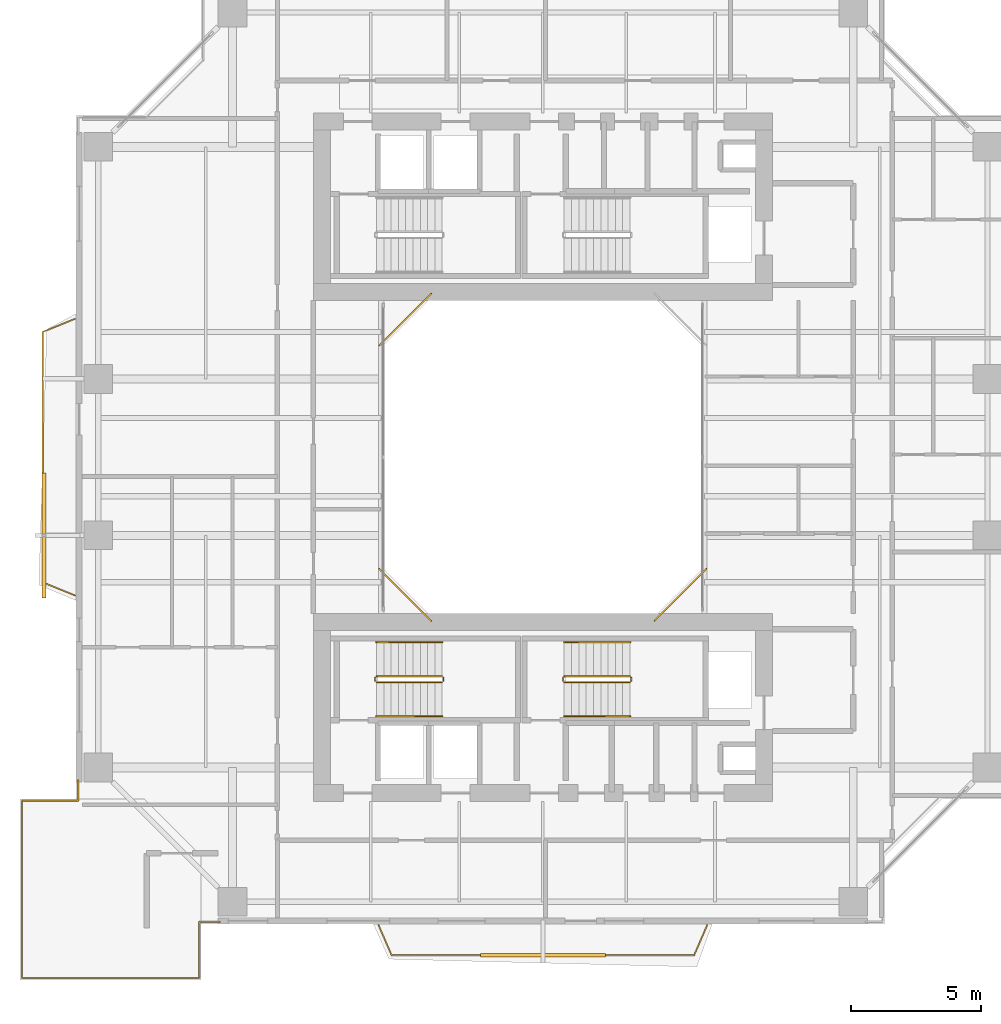
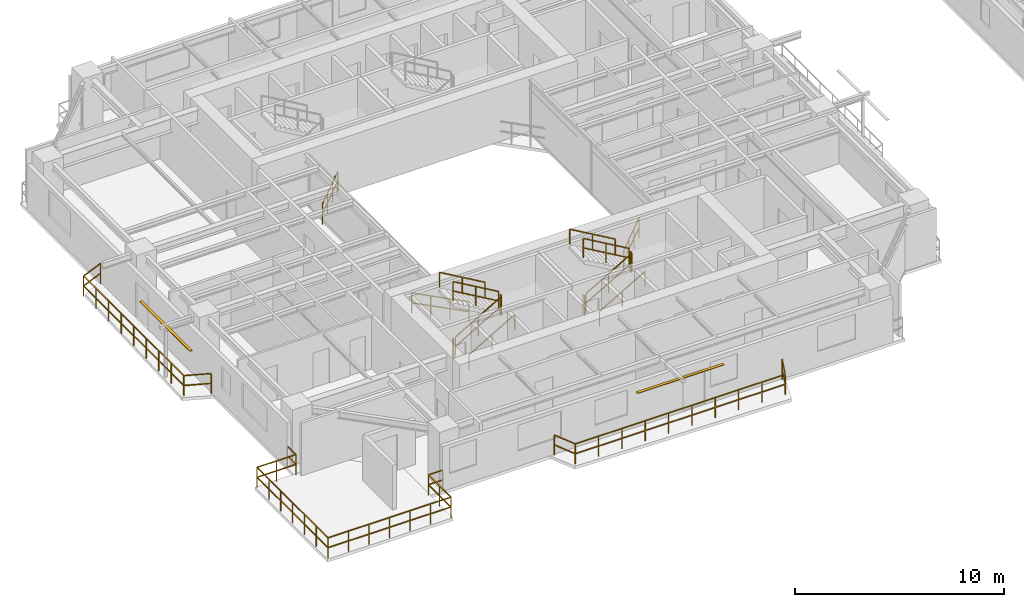
# One storey, part 19 of 23: 18 railings, 2 shading devices.
"""IFC4 building model written with IfcOpenShell, lengths in metres."""

import ifcopenshell
import ifcopenshell.guid

model = None  # the IFC model being written
_history = None  # IfcOwnerHistory: only IFC2X3 demands one
_inside = {}  # id of a spatial element -> (the spatial element, [elements in it])
_under = {}  # id of a project, library or spatial element -> (it, [spatial elements below it])
_declared = {}  # id of a project -> (the project, [libraries it declares])
_typed = {}  # id of a type object -> (the type object, [elements of that type])
_made_of = {}  # id of a material, layer set ... -> (it, [elements and type objects made of it])


def new_model(schema):
    """Start an empty IFC model of exactly this schema.

    Asked for "IFC4X3", IfcOpenShell would pick the latest addendum, in which some entities
    have other attributes; the version numbers below select the first issue.
    IFC2X3 requires an IfcOwnerHistory on every rooted entity: one is made here for all.
    """
    global model, _history
    if schema == "IFC4X3":
        model = ifcopenshell.file(schema_version=(4, 3, 0, 0))
    else:
        model = ifcopenshell.file(schema=schema)
    _inside.clear()
    _under.clear()
    _declared.clear()
    _typed.clear()
    _made_of.clear()
    _history = None
    if model.schema == "IFC2X3":
        org = make("IfcOrganization", Name="unknown")
        user = make(
            "IfcPersonAndOrganization",
            ThePerson=make("IfcPerson", FamilyName="unknown"),
            TheOrganization=org,
        )
        app = make(
            "IfcApplication",
            ApplicationDeveloper=org,
            Version="unknown",
            ApplicationFullName="unknown",
            ApplicationIdentifier="unknown",
        )
        _history = make(
            "IfcOwnerHistory",
            OwningUser=user,
            OwningApplication=app,
            ChangeAction="ADDED",
            CreationDate=0,
        )
    return model


def make(cls, **values):
    """One entity of the class cls with the attributes given. An attribute that is None is left unset."""
    return model.create_entity(
        cls, **{name: value for name, value in values.items() if value is not None}
    )


def rooted(cls, **values):
    """An entity with a GlobalId (a new one), such as an element, a storey or a relation."""
    return make(cls, GlobalId=ifcopenshell.guid.new(), OwnerHistory=_history, **values)


def si_unit(unit_type, name, prefix=None):
    """IfcSIUnit, for example si_unit("LENGTHUNIT", "METRE", prefix="MILLI")."""
    return make("IfcSIUnit", UnitType=unit_type, Prefix=prefix, Name=name)


def assignment(units):
    """IfcUnitAssignment: the units of a project."""
    return None if units is None else make("IfcUnitAssignment", Units=units)


def point(xyz):
    """IfcCartesianPoint."""
    return None if xyz is None else make("IfcCartesianPoint", Coordinates=xyz)


def direction(xyz):
    """IfcDirection."""
    return None if xyz is None else make("IfcDirection", DirectionRatios=xyz)


def frame(location, z_axis=None, x_axis=None):
    """IfcAxis2Placement3D, a coordinate frame: its origin and axes. An axis left out is left unset."""
    return make(
        "IfcAxis2Placement3D",
        Location=point(location),
        Axis=direction(z_axis),
        RefDirection=direction(x_axis),
    )


def frame_2d(location, x_axis=None):
    """IfcAxis2Placement2D, a coordinate frame in the plane: its origin and x axis."""
    return make(
        "IfcAxis2Placement2D", Location=point(location), RefDirection=direction(x_axis)
    )


def origin():
    """The frame at (0, 0, 0) with its axes left unset."""
    return frame((0.0, 0.0, 0.0))


def origin_2d():
    """The frame at (0, 0) in the plane with its x axis left unset."""
    return frame_2d((0.0, 0.0))


def place(relative_to, where):
    """IfcLocalPlacement: puts the frame where relative to a parent placement (None: the world)."""
    return make(
        "IfcLocalPlacement", PlacementRelTo=relative_to, RelativePlacement=where
    )


def context(
    kind, dimensions, precision=None, world=None, true_north=None, identifier=None
):
    """IfcGeometricRepresentationContext, for example the 3D "Model" context."""
    return make(
        "IfcGeometricRepresentationContext",
        ContextIdentifier=identifier,
        ContextType=kind,
        CoordinateSpaceDimension=dimensions,
        Precision=precision,
        WorldCoordinateSystem=world,
        TrueNorth=true_north,
    )


def subcontext(parent, identifier, kind, view, scale=None):
    """IfcGeometricRepresentationSubContext, for example "Body" below "Model"."""
    return make(
        "IfcGeometricRepresentationSubContext",
        ContextIdentifier=identifier,
        ContextType=kind,
        ParentContext=parent,
        TargetScale=scale,
        TargetView=view,
    )


def project(units=None, contexts=None):
    """IfcProject with its units and contexts."""
    return rooted(
        "IfcProject",
        Name="project",
        RepresentationContexts=contexts,
        UnitsInContext=assignment(units),
    )


def spatial(cls, under=None, at=None, **own):
    """A site, building, storey or space (cls), placed at a placement, below another one or the project."""
    s = rooted(cls, ObjectPlacement=at, **own)
    if under is not None:
        _under.setdefault(under.id(), (under, []))[1].append(s)
    return s


def profile(cls, at=None, kind="AREA", **sizes):
    """A parametric profile (cls). Its sizes go by their IFC names, for example OverallWidth=200.0."""
    return make(cls, ProfileType=kind, Position=at, **sizes)


def rectangle(**sizes):
    """IfcRectangleProfileDef."""
    return profile("IfcRectangleProfileDef", **sizes)


def extrude(swept, where, along, depth):
    """IfcExtrudedAreaSolid: the profile swept, set in the frame where, extruded along a direction by depth."""
    return make(
        "IfcExtrudedAreaSolid",
        SweptArea=swept,
        Position=where,
        ExtrudedDirection=direction(along),
        Depth=depth,
    )


def shape(context_of_items, identifier, shape_type, items):
    """IfcShapeRepresentation: the items that make up one representation, for example the "Body"."""
    return make(
        "IfcShapeRepresentation",
        ContextOfItems=context_of_items,
        RepresentationIdentifier=identifier,
        RepresentationType=shape_type,
        Items=items,
    )


def source(mapping_origin, context_of_items, identifier, shape_type, items):
    """IfcRepresentationMap: a shape defined once, which mapped items show again and again."""
    return make(
        "IfcRepresentationMap",
        MappingOrigin=mapping_origin,
        MappedRepresentation=shape(context_of_items, identifier, shape_type, items),
    )


def transform(
    local_origin,
    x_axis=None,
    y_axis=None,
    z_axis=None,
    scale=None,
    scale2=None,
    scale3=None,
    uniform=True,
):
    """IfcCartesianTransformationOperator3D, or its non-uniform kind. x_axis, y_axis, z_axis: its Axis1, 2, 3."""
    if uniform:
        return make(
            "IfcCartesianTransformationOperator3D",
            Axis1=direction(x_axis),
            Axis2=direction(y_axis),
            LocalOrigin=point(local_origin),
            Scale=scale,
            Axis3=direction(z_axis),
        )
    return make(
        "IfcCartesianTransformationOperator3DnonUniform",
        Axis1=direction(x_axis),
        Axis2=direction(y_axis),
        LocalOrigin=point(local_origin),
        Scale=scale,
        Axis3=direction(z_axis),
        Scale2=scale2,
        Scale3=scale3,
    )


def mapped(mapping_source, mapping_target):
    """IfcMappedItem: shows the shape of a source again, moved by a transform."""
    return make(
        "IfcMappedItem", MappingSource=mapping_source, MappingTarget=mapping_target
    )


def material(Name=None, Category=None):
    """IfcMaterial."""
    return make("IfcMaterial", Name=Name, Category=Category)


def material_profile(
    of_material, cross_section, Name=None, Category=None, Priority=None
):
    """IfcMaterialProfile: a cross section and its material."""
    return make(
        "IfcMaterialProfile",
        Name=Name,
        Material=of_material,
        Profile=cross_section,
        Priority=Priority,
        Category=Category,
    )


def profile_set(profiles, Name=None, composite=None):
    """IfcMaterialProfileSet."""
    return make(
        "IfcMaterialProfileSet",
        Name=Name,
        MaterialProfiles=profiles,
        CompositeProfile=composite,
    )


def made_of(thing, what):
    """Note that an element or type object is made of a material, layer set ...; save() writes the relation."""
    if what is not None:
        _made_of.setdefault(what.id(), (what, []))[1].append(thing)
    return thing


def type_object(cls, material=None, **own):
    """A type object (cls), such as IfcWallType, which elements share."""
    return made_of(rooted(cls, **own), material)


def element(
    cls,
    number,
    at=None,
    inside=None,
    cuts=None,
    type_object=None,
    material=None,
    context=None,
    identifier="Body",
    shape_type=None,
    held_by="IfcProductDefinitionShape",
    body=None,
    shapes=None,
    **own,
):
    """One element of the class cls, such as IfcWall. Its Tag is "e" and its number.

    at: its placement. inside: the storey or other place that contains it. cuts: it is an
    opening in that element (IfcRelVoidsElement). A single representation is given by context,
    identifier, shape_type and body (its items); several are given by shapes. held_by: the class
    of the entity that holds the representations. save() writes the other relations.
    """
    e = rooted(cls, Tag="e%d" % number, ObjectPlacement=at, **own)
    if body is not None:
        shapes = [shape(context, identifier, shape_type, body)]
    if shapes is not None:
        e.Representation = make(held_by, Representations=shapes)
    if inside is not None:
        _inside.setdefault(inside.id(), (inside, []))[1].append(e)
    if cuts is not None:
        rooted(
            "IfcRelVoidsElement", RelatingBuildingElement=cuts, RelatedOpeningElement=e
        )
    if type_object is not None:
        _typed.setdefault(type_object.id(), (type_object, []))[1].append(e)
    return made_of(e, material)


def aggregate(whole, parts):
    """IfcRelAggregates: a whole, such as a stair, and the parts it consists of."""
    return rooted("IfcRelAggregates", RelatingObject=whole, RelatedObjects=parts)


def save(model, path):
    """Write the relations noted so far, then the file.

    IfcRelAggregates (storeys below a building ...), IfcRelContainedInSpatialStructure (elements
    in a storey), IfcRelDefinesByType, IfcRelAssociatesMaterial and IfcRelDeclares: one each for
    every whole, place, type object, material and project.
    """
    for whole, parts in _under.values():
        aggregate(whole, parts)
    for where, things in _inside.values():
        rooted(
            "IfcRelContainedInSpatialStructure",
            RelatedElements=things,
            RelatingStructure=where,
        )
    for kind, things in _typed.values():
        rooted("IfcRelDefinesByType", RelatedObjects=things, RelatingType=kind)
    for what, things in _made_of.values():
        rooted("IfcRelAssociatesMaterial", RelatedObjects=things, RelatingMaterial=what)
    for by, libraries in _declared.values():
        rooted("IfcRelDeclares", RelatingContext=by, RelatedDefinitions=libraries)
    model.write(path)


model = new_model("IFC4")

# Units and contexts
model_context = context("Model", 3, precision=1e-05, world=origin(), true_north=direction((0.0, 1.0)))
body_context = subcontext(model_context, "Body", "Model", "MODEL_VIEW")
ifc_project = project(units=[si_unit("LENGTHUNIT", "METRE"), si_unit("AREAUNIT", "SQUARE_METRE"), si_unit("VOLUMEUNIT", "CUBIC_METRE"), si_unit("PLANEANGLEUNIT", "RADIAN"), si_unit("MASSUNIT", "GRAM", prefix="KILO"), si_unit("THERMODYNAMICTEMPERATUREUNIT", "KELVIN"), si_unit("POWERUNIT", "WATT")], contexts=[model_context])

# Site, building, storey
site_placement = place(None, origin())
site = spatial("IfcSite", under=ifc_project, at=site_placement, CompositionType="ELEMENT")
building_placement = place(site_placement, origin())
building = spatial("IfcBuilding", under=site, at=building_placement, Name="Qiaomeng Ring Towers", CompositionType="ELEMENT")
storey_placement = place(building_placement, frame((0.0, 0.0, 103.5)))
storey = spatial("IfcBuildingStorey", under=building, at=storey_placement, Name="L29", CompositionType="ELEMENT", Elevation=103.5)

# Railings
ifc_material_1 = material(Name="Low-E pale-green laminated safety glass", Category="glass")
railing_type_1 = type_object("IfcRailingType", Name="ARC-RL-BAL1", PredefinedType="BALUSTRADE", material=ifc_material_1)
railing_1_placement = place(storey_placement, frame((23.280029296875, 16.719970703125, 0.0)))
element("IfcRailing", 1, at=railing_1_placement, inside=storey, type_object=railing_type_1, Name="L29 Balustrade ARC-BAL-WELL1-L29-1", PredefinedType="BALUSTRADE", context=body_context, shape_type="SweptSolid", body=[
    extrude(rectangle(XDim=0.048095703125, YDim=0.048095703125, at=origin_2d()), frame((0.0, 0.0, 1.17578125), z_axis=(0.707106781187, 0.707106781187, 0.0), x_axis=(-0.707106781187, 0.707106781187, 0.0)), (0.0, 0.0, 1.0), 2.828369140625),
    extrude(rectangle(XDim=0.048095703125, YDim=0.048095703125, at=origin_2d()), frame((0.0, 0.0, 0.60009765625), z_axis=(0.707106781187, 0.707106781187, 0.0), x_axis=(-0.707106781187, 0.707106781187, 0.0)), (0.0, 0.0, 1.0), 2.828369140625),
    extrude(rectangle(XDim=0.0419921875, YDim=0.0419921875, at=origin_2d()), origin(), (0.0, 0.0, 1.0), 1.15185546875),
    extrude(rectangle(XDim=0.0419921875, YDim=0.0419921875, at=origin_2d()), frame((0.666748046875, 0.666748046875, 0.0)), (0.0, 0.0, 1.0), 1.15185546875),
    extrude(rectangle(XDim=0.0419921875, YDim=0.0419921875, at=origin_2d()), frame((1.333251953125, 1.333251953125, 0.0)), (0.0, 0.0, 1.0), 1.15185546875),
    extrude(rectangle(XDim=0.0419921875, YDim=0.0419921875, at=origin_2d()), frame((2.0, 2.0, 0.0)), (0.0, 0.0, 1.0), 1.15185546875),
])
railing_2_placement = place(storey_placement, frame((14.719970703125, 29.280029296875, 0.0)))
element("IfcRailing", 2, at=railing_2_placement, inside=storey, type_object=railing_type_1, Name="L29 Balustrade ARC-BAL-WELL1-L29-3", PredefinedType="BALUSTRADE", context=body_context, shape_type="SweptSolid", body=[
    extrude(rectangle(XDim=0.048095703125, YDim=0.048095703125, at=origin_2d()), frame((0.0, 0.0, 1.17578125), z_axis=(-0.707106781187, -0.707106781187, 0.0), x_axis=(0.707106781187, -0.707106781187, 0.0)), (0.0, 0.0, 1.0), 2.828369140625),
    extrude(rectangle(XDim=0.048095703125, YDim=0.048095703125, at=origin_2d()), frame((0.0, 0.0, 0.60009765625), z_axis=(-0.707106781187, -0.707106781187, 0.0), x_axis=(0.707106781187, -0.707106781187, 0.0)), (0.0, 0.0, 1.0), 2.828369140625),
    extrude(rectangle(XDim=0.0419921875, YDim=0.0419921875, at=origin_2d()), origin(), (0.0, 0.0, 1.0), 1.15185546875),
    extrude(rectangle(XDim=0.0419921875, YDim=0.0419921875, at=origin_2d()), frame((-0.666748046875, -0.666748046875, 0.0)), (0.0, 0.0, 1.0), 1.15185546875),
    extrude(rectangle(XDim=0.0419921875, YDim=0.0419921875, at=origin_2d()), frame((-1.333251953125, -1.333251953125, 0.0)), (0.0, 0.0, 1.0), 1.15185546875),
    extrude(rectangle(XDim=0.0419921875, YDim=0.0419921875, at=origin_2d()), frame((-2.0, -2.0, 0.0)), (0.0, 0.0, 1.0), 1.15185546875),
])
railing_3_placement = place(storey_placement, frame((12.719970703125, 18.719970703125, 0.0)))
element("IfcRailing", 3, at=railing_3_placement, inside=storey, type_object=railing_type_1, Name="L29 Balustrade ARC-BAL-WELL1-L29-4", PredefinedType="BALUSTRADE", context=body_context, shape_type="SweptSolid", body=[
    extrude(rectangle(XDim=0.048095703125, YDim=0.048095703125, at=origin_2d()), frame((0.0, 0.0, 1.17578125), z_axis=(0.707106781187, -0.707106781187, 0.0), x_axis=(0.707106781187, 0.707106781187, 0.0)), (0.0, 0.0, 1.0), 2.828369140625),
    extrude(rectangle(XDim=0.048095703125, YDim=0.048095703125, at=origin_2d()), frame((0.0, 0.0, 0.60009765625), z_axis=(0.707106781187, -0.707106781187, 0.0), x_axis=(0.707106781187, 0.707106781187, 0.0)), (0.0, 0.0, 1.0), 2.828369140625),
    extrude(rectangle(XDim=0.0419921875, YDim=0.0419921875, at=origin_2d()), origin(), (0.0, 0.0, 1.0), 1.15185546875),
    extrude(rectangle(XDim=0.0419921875, YDim=0.0419921875, at=origin_2d()), frame((0.666748046875, -0.666748046875, 0.0)), (0.0, 0.0, 1.0), 1.15185546875),
    extrude(rectangle(XDim=0.0419921875, YDim=0.0419921875, at=origin_2d()), frame((1.333251953125, -1.333251953125, 0.0)), (0.0, 0.0, 1.0), 1.15185546875),
    extrude(rectangle(XDim=0.0419921875, YDim=0.0419921875, at=origin_2d()), frame((2.0, -2.0, 0.0)), (0.0, 0.0, 1.0), 1.15185546875),
])
railing_4_placement = place(storey_placement, frame((1.179931640625, 10.6201171875, 0.0)))
element("IfcRailing", 4, at=railing_4_placement, inside=storey, type_object=railing_type_1, Name="L29 Balustrade ARC-BAL-L29-SPIRAL-SW", PredefinedType="BALUSTRADE", context=body_context, shape_type="SweptSolid", body=[
    extrude(rectangle(XDim=0.048095703125, YDim=0.048095703125, at=origin_2d()), frame((0.0, 0.0, 1.17578125), z_axis=(0.0, -1.0, 0.0), x_axis=(1.0, 0.0, 0.0)), (0.0, 0.0, 1.0), 0.800048828125),
    extrude(rectangle(XDim=0.048095703125, YDim=0.048095703125, at=origin_2d()), frame((0.0, 0.0, 0.60009765625), z_axis=(0.0, -1.0, 0.0), x_axis=(1.0, 0.0, 0.0)), (0.0, 0.0, 1.0), 0.800048828125),
    extrude(rectangle(XDim=0.048095703125, YDim=0.048095703125, at=origin_2d()), frame((0.0, -0.800048828125, 1.17578125), z_axis=(-1.0, 0.0, 0.0), x_axis=(0.0, -1.0, 0.0)), (0.0, 0.0, 1.0), 2.14990234375),
    extrude(rectangle(XDim=0.048095703125, YDim=0.048095703125, at=origin_2d()), frame((0.0, -0.800048828125, 0.60009765625), z_axis=(-1.0, 0.0, 0.0), x_axis=(0.0, -1.0, 0.0)), (0.0, 0.0, 1.0), 2.14990234375),
    extrude(rectangle(XDim=0.048095703125, YDim=0.048095703125, at=origin_2d()), frame((-2.14990234375, -0.800048828125, 1.17578125), z_axis=(0.0, -1.0, 0.0), x_axis=(1.0, 0.0, 0.0)), (0.0, 0.0, 1.0), 6.7900390625),
    extrude(rectangle(XDim=0.048095703125, YDim=0.048095703125, at=origin_2d()), frame((-2.14990234375, -0.800048828125, 0.60009765625), z_axis=(0.0, -1.0, 0.0), x_axis=(1.0, 0.0, 0.0)), (0.0, 0.0, 1.0), 6.7900390625),
    extrude(rectangle(XDim=0.048095703125, YDim=0.048095703125, at=origin_2d()), frame((-2.14990234375, -7.590087890625, 1.17578125), z_axis=(1.0, 0.0, 0.0), x_axis=(0.0, 1.0, 0.0)), (0.0, 0.0, 1.0), 6.7900390625),
    extrude(rectangle(XDim=0.048095703125, YDim=0.048095703125, at=origin_2d()), frame((-2.14990234375, -7.590087890625, 0.60009765625), z_axis=(1.0, 0.0, 0.0), x_axis=(0.0, 1.0, 0.0)), (0.0, 0.0, 1.0), 6.7900390625),
    extrude(rectangle(XDim=0.048095703125, YDim=0.048095703125, at=origin_2d()), frame((4.64013671875, -7.590087890625, 1.17578125), z_axis=(0.0, 1.0, 0.0), x_axis=(-1.0, 0.0, 0.0)), (0.0, 0.0, 1.0), 2.14990234375),
    extrude(rectangle(XDim=0.048095703125, YDim=0.048095703125, at=origin_2d()), frame((4.64013671875, -7.590087890625, 0.60009765625), z_axis=(0.0, 1.0, 0.0), x_axis=(-1.0, 0.0, 0.0)), (0.0, 0.0, 1.0), 2.14990234375),
    extrude(rectangle(XDim=0.048095703125, YDim=0.048095703125, at=origin_2d()), frame((4.64013671875, -5.440185546875, 1.17578125), z_axis=(1.0, 0.0, 0.0), x_axis=(0.0, 1.0, 0.0)), (0.0, 0.0, 1.0), 0.800048828125),
    extrude(rectangle(XDim=0.048095703125, YDim=0.048095703125, at=origin_2d()), frame((4.64013671875, -5.440185546875, 0.60009765625), z_axis=(1.0, 0.0, 0.0), x_axis=(0.0, 1.0, 0.0)), (0.0, 0.0, 1.0), 0.800048828125),
    extrude(rectangle(XDim=0.0419921875, YDim=0.0419921875, at=origin_2d()), origin(), (0.0, 0.0, 1.0), 1.15185546875),
    extrude(rectangle(XDim=0.0419921875, YDim=0.0419921875, at=origin_2d()), frame((0.0, -0.800048828125, 0.0)), (0.0, 0.0, 1.0), 1.15185546875),
    extrude(rectangle(XDim=0.0419921875, YDim=0.0419921875, at=origin_2d()), frame((-1.074951171875, -0.800048828125, 0.0)), (0.0, 0.0, 1.0), 1.15185546875),
    extrude(rectangle(XDim=0.0419921875, YDim=0.0419921875, at=origin_2d()), frame((-2.14990234375, -0.800048828125, 0.0)), (0.0, 0.0, 1.0), 1.15185546875),
    extrude(rectangle(XDim=0.0419921875, YDim=0.0419921875, at=origin_2d()), frame((-2.14990234375, -1.931640625, 0.0)), (0.0, 0.0, 1.0), 1.15185546875),
    extrude(rectangle(XDim=0.0419921875, YDim=0.0419921875, at=origin_2d()), frame((-2.14990234375, -3.0634765625, 0.0)), (0.0, 0.0, 1.0), 1.15185546875),
    extrude(rectangle(XDim=0.0419921875, YDim=0.0419921875, at=origin_2d()), frame((-2.14990234375, -4.195068359375, 0.0)), (0.0, 0.0, 1.0), 1.15185546875),
    extrude(rectangle(XDim=0.0419921875, YDim=0.0419921875, at=origin_2d()), frame((-2.14990234375, -5.32666015625, 0.0)), (0.0, 0.0, 1.0), 1.15185546875),
    extrude(rectangle(XDim=0.0419921875, YDim=0.0419921875, at=origin_2d()), frame((-2.14990234375, -6.45849609375, 0.0)), (0.0, 0.0, 1.0), 1.15185546875),
    extrude(rectangle(XDim=0.0419921875, YDim=0.0419921875, at=origin_2d()), frame((-2.14990234375, -7.590087890625, 0.0)), (0.0, 0.0, 1.0), 1.15185546875),
    extrude(rectangle(XDim=0.0419921875, YDim=0.0419921875, at=origin_2d()), frame((-1.018310546875, -7.590087890625, 0.0)), (0.0, 0.0, 1.0), 1.15185546875),
    extrude(rectangle(XDim=0.0419921875, YDim=0.0419921875, at=origin_2d()), frame((0.113525390625, -7.590087890625, 0.0)), (0.0, 0.0, 1.0), 1.15185546875),
    extrude(rectangle(XDim=0.0419921875, YDim=0.0419921875, at=origin_2d()), frame((1.2451171875, -7.590087890625, 0.0)), (0.0, 0.0, 1.0), 1.15185546875),
    extrude(rectangle(XDim=0.0419921875, YDim=0.0419921875, at=origin_2d()), frame((2.376708984375, -7.590087890625, 0.0)), (0.0, 0.0, 1.0), 1.15185546875),
    extrude(rectangle(XDim=0.0419921875, YDim=0.0419921875, at=origin_2d()), frame((3.508544921875, -7.590087890625, 0.0)), (0.0, 0.0, 1.0), 1.15185546875),
    extrude(rectangle(XDim=0.0419921875, YDim=0.0419921875, at=origin_2d()), frame((4.64013671875, -7.590087890625, 0.0)), (0.0, 0.0, 1.0), 1.15185546875),
    extrude(rectangle(XDim=0.0419921875, YDim=0.0419921875, at=origin_2d()), frame((4.64013671875, -6.51513671875, 0.0)), (0.0, 0.0, 1.0), 1.15185546875),
    extrude(rectangle(XDim=0.0419921875, YDim=0.0419921875, at=origin_2d()), frame((4.64013671875, -5.440185546875, 0.0)), (0.0, 0.0, 1.0), 1.15185546875),
    extrude(rectangle(XDim=0.0419921875, YDim=0.0419921875, at=origin_2d()), frame((5.440185546875, -5.440185546875, 0.0)), (0.0, 0.0, 1.0), 1.15185546875),
])
railing_5_placement = place(storey_placement, frame((12.699951171875, 5.050048828125, 0.0)))
element("IfcRailing", 5, at=railing_5_placement, inside=storey, type_object=railing_type_1, Name="L29 Balustrade ARC-BAL-L29-T1-S", PredefinedType="BALUSTRADE", context=body_context, shape_type="SweptSolid", body=[
    extrude(rectangle(XDim=0.048095703125, YDim=0.048095703125, at=origin_2d()), frame((0.0, 0.0, 1.17578125), z_axis=(0.39868340127, -0.917088624699, 0.0), x_axis=(0.917088624699, 0.39868340127, 0.0)), (0.0, 0.0, 1.0), 1.254150390625),
    extrude(rectangle(XDim=0.048095703125, YDim=0.048095703125, at=origin_2d()), frame((0.0, 0.0, 0.60009765625), z_axis=(0.39868340127, -0.917088624699, 0.0), x_axis=(0.917088624699, 0.39868340127, 0.0)), (0.0, 0.0, 1.0), 1.254150390625),
    extrude(rectangle(XDim=0.048095703125, YDim=0.048095703125, at=origin_2d()), frame((0.5, -1.150146484375, 1.17578125), z_axis=(1.0, 0.0, 0.0), x_axis=(0.0, 1.0, 0.0)), (0.0, 0.0, 1.0), 11.60009765625),
    extrude(rectangle(XDim=0.048095703125, YDim=0.048095703125, at=origin_2d()), frame((0.5, -1.150146484375, 0.60009765625), z_axis=(1.0, 0.0, 0.0), x_axis=(0.0, 1.0, 0.0)), (0.0, 0.0, 1.0), 11.60009765625),
    extrude(rectangle(XDim=0.048095703125, YDim=0.048095703125, at=origin_2d()), frame((12.10009765625, -1.150146484375, 1.17578125), z_axis=(0.39868340127, 0.917088624699, 0.0), x_axis=(-0.917088624699, 0.39868340127, 0.0)), (0.0, 0.0, 1.0), 1.254150390625),
    extrude(rectangle(XDim=0.048095703125, YDim=0.048095703125, at=origin_2d()), frame((12.10009765625, -1.150146484375, 0.60009765625), z_axis=(0.39868340127, 0.917088624699, 0.0), x_axis=(-0.917088624699, 0.39868340127, 0.0)), (0.0, 0.0, 1.0), 1.254150390625),
    extrude(rectangle(XDim=0.0419921875, YDim=0.0419921875, at=origin_2d()), origin(), (0.0, 0.0, 1.0), 1.15185546875),
    extrude(rectangle(XDim=0.0419921875, YDim=0.0419921875, at=origin_2d()), frame((0.5, -1.150146484375, 0.0)), (0.0, 0.0, 1.0), 1.15185546875),
    extrude(rectangle(XDim=0.0419921875, YDim=0.0419921875, at=origin_2d()), frame((1.788818359375, -1.150146484375, 0.0)), (0.0, 0.0, 1.0), 1.15185546875),
    extrude(rectangle(XDim=0.0419921875, YDim=0.0419921875, at=origin_2d()), frame((3.077880859375, -1.150146484375, 0.0)), (0.0, 0.0, 1.0), 1.15185546875),
    extrude(rectangle(XDim=0.0419921875, YDim=0.0419921875, at=origin_2d()), frame((4.36669921875, -1.150146484375, 0.0)), (0.0, 0.0, 1.0), 1.15185546875),
    extrude(rectangle(XDim=0.0419921875, YDim=0.0419921875, at=origin_2d()), frame((5.655517578125, -1.150146484375, 0.0)), (0.0, 0.0, 1.0), 1.15185546875),
    extrude(rectangle(XDim=0.0419921875, YDim=0.0419921875, at=origin_2d()), frame((6.944580078125, -1.150146484375, 0.0)), (0.0, 0.0, 1.0), 1.15185546875),
    extrude(rectangle(XDim=0.0419921875, YDim=0.0419921875, at=origin_2d()), frame((8.2333984375, -1.150146484375, 0.0)), (0.0, 0.0, 1.0), 1.15185546875),
    extrude(rectangle(XDim=0.0419921875, YDim=0.0419921875, at=origin_2d()), frame((9.522216796875, -1.150146484375, 0.0)), (0.0, 0.0, 1.0), 1.15185546875),
    extrude(rectangle(XDim=0.0419921875, YDim=0.0419921875, at=origin_2d()), frame((10.811279296875, -1.150146484375, 0.0)), (0.0, 0.0, 1.0), 1.15185546875),
    extrude(rectangle(XDim=0.0419921875, YDim=0.0419921875, at=origin_2d()), frame((12.10009765625, -1.150146484375, 0.0)), (0.0, 0.0, 1.0), 1.15185546875),
    extrude(rectangle(XDim=0.0419921875, YDim=0.0419921875, at=origin_2d()), frame((12.60009765625, 0.0, 0.0)), (0.0, 0.0, 1.0), 1.15185546875),
])
railing_6_placement = place(storey_placement, frame((1.050048828125, 17.699951171875, 0.0)))
element("IfcRailing", 6, at=railing_6_placement, inside=storey, type_object=railing_type_1, Name="L29 Balustrade ARC-BAL-L29-T1-W", PredefinedType="BALUSTRADE", context=body_context, shape_type="SweptSolid", body=[
    extrude(rectangle(XDim=0.048095703125, YDim=0.048095703125, at=origin_2d()), frame((0.0, 0.0, 1.17578125), z_axis=(-0.926382398109, 0.376584190418, 0.0), x_axis=(-0.376584190418, -0.926382398109, 0.0)), (0.0, 0.0, 1.0), 1.32763671875),
    extrude(rectangle(XDim=0.048095703125, YDim=0.048095703125, at=origin_2d()), frame((0.0, 0.0, 0.60009765625), z_axis=(-0.926382398109, 0.376584190418, 0.0), x_axis=(-0.376584190418, -0.926382398109, 0.0)), (0.0, 0.0, 1.0), 1.32763671875),
    extrude(rectangle(XDim=0.048095703125, YDim=0.048095703125, at=origin_2d()), frame((-1.22998046875, 0.5, 1.17578125), z_axis=(0.0, 1.0, 0.0), x_axis=(-1.0, 0.0, 0.0)), (0.0, 0.0, 1.0), 9.60009765625),
    extrude(rectangle(XDim=0.048095703125, YDim=0.048095703125, at=origin_2d()), frame((-1.22998046875, 0.5, 0.60009765625), z_axis=(0.0, 1.0, 0.0), x_axis=(-1.0, 0.0, 0.0)), (0.0, 0.0, 1.0), 9.60009765625),
    extrude(rectangle(XDim=0.048095703125, YDim=0.048095703125, at=origin_2d()), frame((-1.22998046875, 10.10009765625, 1.17578125), z_axis=(0.926382398109, 0.376584190418, 0.0), x_axis=(-0.376584190418, 0.926382398109, 0.0)), (0.0, 0.0, 1.0), 1.32763671875),
    extrude(rectangle(XDim=0.048095703125, YDim=0.048095703125, at=origin_2d()), frame((-1.22998046875, 10.10009765625, 0.60009765625), z_axis=(0.926382398109, 0.376584190418, 0.0), x_axis=(-0.376584190418, 0.926382398109, 0.0)), (0.0, 0.0, 1.0), 1.32763671875),
    extrude(rectangle(XDim=0.0419921875, YDim=0.0419921875, at=origin_2d()), origin(), (0.0, 0.0, 1.0), 1.15185546875),
    extrude(rectangle(XDim=0.0419921875, YDim=0.0419921875, at=origin_2d()), frame((-1.22998046875, 0.5, 0.0)), (0.0, 0.0, 1.0), 1.15185546875),
    extrude(rectangle(XDim=0.0419921875, YDim=0.0419921875, at=origin_2d()), frame((-1.22998046875, 1.699951171875, 0.0)), (0.0, 0.0, 1.0), 1.15185546875),
    extrude(rectangle(XDim=0.0419921875, YDim=0.0419921875, at=origin_2d()), frame((-1.22998046875, 2.89990234375, 0.0)), (0.0, 0.0, 1.0), 1.15185546875),
    extrude(rectangle(XDim=0.0419921875, YDim=0.0419921875, at=origin_2d()), frame((-1.22998046875, 4.10009765625, 0.0)), (0.0, 0.0, 1.0), 1.15185546875),
    extrude(rectangle(XDim=0.0419921875, YDim=0.0419921875, at=origin_2d()), frame((-1.22998046875, 5.300048828125, 0.0)), (0.0, 0.0, 1.0), 1.15185546875),
    extrude(rectangle(XDim=0.0419921875, YDim=0.0419921875, at=origin_2d()), frame((-1.22998046875, 6.5, 0.0)), (0.0, 0.0, 1.0), 1.15185546875),
    extrude(rectangle(XDim=0.0419921875, YDim=0.0419921875, at=origin_2d()), frame((-1.22998046875, 7.7001953125, 0.0)), (0.0, 0.0, 1.0), 1.15185546875),
    extrude(rectangle(XDim=0.0419921875, YDim=0.0419921875, at=origin_2d()), frame((-1.22998046875, 8.900146484375, 0.0)), (0.0, 0.0, 1.0), 1.15185546875),
    extrude(rectangle(XDim=0.0419921875, YDim=0.0419921875, at=origin_2d()), frame((-1.22998046875, 10.10009765625, 0.0)), (0.0, 0.0, 1.0), 1.15185546875),
    extrude(rectangle(XDim=0.0419921875, YDim=0.0419921875, at=origin_2d()), frame((0.0, 10.60009765625, 0.0)), (0.0, 0.0, 1.0), 1.15185546875),
])
ifc_material_2 = material(Name="Galvanised steel", Category="steel")
railing_type_2 = type_object("IfcRailingType", Name="ARC-RL-GUARD", PredefinedType="GUARDRAIL", material=ifc_material_2)
railing_7_placement = place(storey_placement, frame((12.6201171875, 14.360107421875, 0.16259765625)))
element("IfcRailing", 7, at=railing_7_placement, inside=storey, type_object=railing_type_2, Name="L29 ST3 stair guard 1", PredefinedType="GUARDRAIL", context=body_context, shape_type="SweptSolid", body=[
    extrude(rectangle(XDim=0.048095703125, YDim=0.048095703125, at=origin_2d()), frame((0.0, 0.0, 1.1259765625), z_axis=(0.864892226395, 0.0, 0.501957604506), x_axis=(0.0, 1.0, 0.0)), (0.0, 0.0, 1.0), 2.913330078125),
    extrude(rectangle(XDim=0.048095703125, YDim=0.048095703125, at=origin_2d()), frame((0.0, 0.0, 0.574951171875), z_axis=(0.864892226395, 0.0, 0.501957604506), x_axis=(0.0, 1.0, 0.0)), (0.0, 0.0, 1.0), 2.913330078125),
    extrude(rectangle(XDim=0.0419921875, YDim=0.0419921875, at=origin_2d()), origin(), (0.0, 0.0, 1.0), 1.101806640625),
    extrude(rectangle(XDim=0.0419921875, YDim=0.0419921875, at=origin_2d()), frame((1.259765625, 0.0, 0.731201171875)), (0.0, 0.0, 1.0), 1.101806640625),
    extrude(rectangle(XDim=0.0419921875, YDim=0.0419921875, at=origin_2d()), frame((2.519775390625, 0.0, 1.46240234375)), (0.0, 0.0, 1.0), 1.101806640625),
])
railing_8_placement = place(storey_placement, frame((15.18994140625, 14.409912109375, 1.625)))
element("IfcRailing", 8, at=railing_8_placement, inside=storey, type_object=railing_type_2, Name="L29 ST3 stair guard 2", PredefinedType="GUARDRAIL", context=body_context, shape_type="SweptSolid", body=[
    extrude(rectangle(XDim=0.048095703125, YDim=0.048095703125, at=origin_2d()), frame((0.0, 0.0, 1.1259765625), z_axis=(0.0, 1.0, 0.0), x_axis=(-1.0, 0.0, 0.0)), (0.0, 0.0, 1.0), 0.14013671875),
    extrude(rectangle(XDim=0.048095703125, YDim=0.048095703125, at=origin_2d()), frame((0.0, 0.0, 0.574951171875), z_axis=(0.0, 1.0, 0.0), x_axis=(-1.0, 0.0, 0.0)), (0.0, 0.0, 1.0), 0.14013671875),
    extrude(rectangle(XDim=0.0419921875, YDim=0.0419921875, at=origin_2d()), origin(), (0.0, 0.0, 1.0), 1.101806640625),
    extrude(rectangle(XDim=0.0419921875, YDim=0.0419921875, at=origin_2d()), frame((0.0, 0.14013671875, 0.0)), (0.0, 0.0, 1.0), 1.101806640625),
])
railing_9_placement = place(storey_placement, frame((15.139892578125, 14.60009765625, 1.78759765625)))
element("IfcRailing", 9, at=railing_9_placement, inside=storey, type_object=railing_type_2, Name="L29 ST3 stair guard 3", PredefinedType="GUARDRAIL", context=body_context, shape_type="SweptSolid", body=[
    extrude(rectangle(XDim=0.048095703125, YDim=0.048095703125, at=origin_2d()), frame((0.0, 0.0, 1.1259765625), z_axis=(-0.864892226395, 0.0, 0.501957604506), x_axis=(0.0, -1.0, 0.0)), (0.0, 0.0, 1.0), 2.913330078125),
    extrude(rectangle(XDim=0.048095703125, YDim=0.048095703125, at=origin_2d()), frame((0.0, 0.0, 0.574951171875), z_axis=(-0.864892226395, 0.0, 0.501957604506), x_axis=(0.0, -1.0, 0.0)), (0.0, 0.0, 1.0), 2.913330078125),
    extrude(rectangle(XDim=0.0419921875, YDim=0.0419921875, at=origin_2d()), origin(), (0.0, 0.0, 1.0), 1.101806640625),
    extrude(rectangle(XDim=0.0419921875, YDim=0.0419921875, at=origin_2d()), frame((-1.259765625, 0.0, 0.731201171875)), (0.0, 0.0, 1.0), 1.101806640625),
    extrude(rectangle(XDim=0.0419921875, YDim=0.0419921875, at=origin_2d()), frame((-2.519775390625, 0.0, 1.46240234375)), (0.0, 0.0, 1.0), 1.101806640625),
])
railing_10_placement = place(storey_placement, frame((12.570068359375, 14.409912109375, 0.0)))
element("IfcRailing", 10, at=railing_10_placement, inside=storey, type_object=railing_type_2, Name="L29 ST3 stair guard 4", PredefinedType="GUARDRAIL", context=body_context, shape_type="SweptSolid", body=[
    extrude(rectangle(XDim=0.048095703125, YDim=0.048095703125, at=origin_2d()), frame((0.0, 0.0, 1.1259765625), z_axis=(0.0, 1.0, 0.0), x_axis=(-1.0, 0.0, 0.0)), (0.0, 0.0, 1.0), 0.14013671875),
    extrude(rectangle(XDim=0.048095703125, YDim=0.048095703125, at=origin_2d()), frame((0.0, 0.0, 0.574951171875), z_axis=(0.0, 1.0, 0.0), x_axis=(-1.0, 0.0, 0.0)), (0.0, 0.0, 1.0), 0.14013671875),
    extrude(rectangle(XDim=0.0419921875, YDim=0.0419921875, at=origin_2d()), origin(), (0.0, 0.0, 1.0), 1.101806640625),
    extrude(rectangle(XDim=0.0419921875, YDim=0.0419921875, at=origin_2d()), frame((0.0, 0.14013671875, 0.0)), (0.0, 0.0, 1.0), 1.101806640625),
])
railing_11_placement = place(storey_placement, frame((19.820068359375, 14.360107421875, 0.16259765625)))
element("IfcRailing", 11, at=railing_11_placement, inside=storey, type_object=railing_type_2, Name="L29 ST4 stair guard 1", PredefinedType="GUARDRAIL", context=body_context, shape_type="SweptSolid", body=[
    extrude(rectangle(XDim=0.048095703125, YDim=0.048095703125, at=origin_2d()), frame((0.0, 0.0, 1.1259765625), z_axis=(0.864913338283, 0.0, 0.50192122615), x_axis=(0.0, 1.0, 0.0)), (0.0, 0.0, 1.0), 2.91357421875),
    extrude(rectangle(XDim=0.048095703125, YDim=0.048095703125, at=origin_2d()), frame((0.0, 0.0, 0.574951171875), z_axis=(0.864913338283, 0.0, 0.50192122615), x_axis=(0.0, 1.0, 0.0)), (0.0, 0.0, 1.0), 2.91357421875),
    extrude(rectangle(XDim=0.0419921875, YDim=0.0419921875, at=origin_2d()), origin(), (0.0, 0.0, 1.0), 1.101806640625),
    extrude(rectangle(XDim=0.0419921875, YDim=0.0419921875, at=origin_2d()), frame((1.260009765625, 0.0, 0.731201171875)), (0.0, 0.0, 1.0), 1.101806640625),
    extrude(rectangle(XDim=0.0419921875, YDim=0.0419921875, at=origin_2d()), frame((2.52001953125, 0.0, 1.46240234375)), (0.0, 0.0, 1.0), 1.101806640625),
])
railing_12_placement = place(storey_placement, frame((22.389892578125, 14.409912109375, 1.625)))
element("IfcRailing", 12, at=railing_12_placement, inside=storey, type_object=railing_type_2, Name="L29 ST4 stair guard 2", PredefinedType="GUARDRAIL", context=body_context, shape_type="SweptSolid", body=[
    extrude(rectangle(XDim=0.048095703125, YDim=0.048095703125, at=origin_2d()), frame((0.0, 0.0, 1.1259765625), z_axis=(0.0, 1.0, 0.0), x_axis=(-1.0, 0.0, 0.0)), (0.0, 0.0, 1.0), 0.14013671875),
    extrude(rectangle(XDim=0.048095703125, YDim=0.048095703125, at=origin_2d()), frame((0.0, 0.0, 0.574951171875), z_axis=(0.0, 1.0, 0.0), x_axis=(-1.0, 0.0, 0.0)), (0.0, 0.0, 1.0), 0.14013671875),
    extrude(rectangle(XDim=0.0419921875, YDim=0.0419921875, at=origin_2d()), origin(), (0.0, 0.0, 1.0), 1.101806640625),
    extrude(rectangle(XDim=0.0419921875, YDim=0.0419921875, at=origin_2d()), frame((0.0, 0.14013671875, 0.0)), (0.0, 0.0, 1.0), 1.101806640625),
])
railing_13_placement = place(storey_placement, frame((22.340087890625, 14.60009765625, 1.78759765625)))
element("IfcRailing", 13, at=railing_13_placement, inside=storey, type_object=railing_type_2, Name="L29 ST4 stair guard 3", PredefinedType="GUARDRAIL", context=body_context, shape_type="SweptSolid", body=[
    extrude(rectangle(XDim=0.048095703125, YDim=0.048095703125, at=origin_2d()), frame((0.0, 0.0, 1.1259765625), z_axis=(-0.864913338283, 0.0, 0.50192122615), x_axis=(0.0, -1.0, 0.0)), (0.0, 0.0, 1.0), 2.91357421875),
    extrude(rectangle(XDim=0.048095703125, YDim=0.048095703125, at=origin_2d()), frame((0.0, 0.0, 0.574951171875), z_axis=(-0.864913338283, 0.0, 0.50192122615), x_axis=(0.0, -1.0, 0.0)), (0.0, 0.0, 1.0), 2.91357421875),
    extrude(rectangle(XDim=0.0419921875, YDim=0.0419921875, at=origin_2d()), origin(), (0.0, 0.0, 1.0), 1.101806640625),
    extrude(rectangle(XDim=0.0419921875, YDim=0.0419921875, at=origin_2d()), frame((-1.260009765625, 0.0, 0.731201171875)), (0.0, 0.0, 1.0), 1.101806640625),
    extrude(rectangle(XDim=0.0419921875, YDim=0.0419921875, at=origin_2d()), frame((-2.52001953125, 0.0, 1.46240234375)), (0.0, 0.0, 1.0), 1.101806640625),
])
railing_14_placement = place(storey_placement, frame((19.77001953125, 14.409912109375, 0.0)))
element("IfcRailing", 14, at=railing_14_placement, inside=storey, type_object=railing_type_2, Name="L29 ST4 stair guard 4", PredefinedType="GUARDRAIL", context=body_context, shape_type="SweptSolid", body=[
    extrude(rectangle(XDim=0.048095703125, YDim=0.048095703125, at=origin_2d()), frame((0.0, 0.0, 1.1259765625), z_axis=(0.0, 1.0, 0.0), x_axis=(-1.0, 0.0, 0.0)), (0.0, 0.0, 1.0), 0.14013671875),
    extrude(rectangle(XDim=0.048095703125, YDim=0.048095703125, at=origin_2d()), frame((0.0, 0.0, 0.574951171875), z_axis=(0.0, 1.0, 0.0), x_axis=(-1.0, 0.0, 0.0)), (0.0, 0.0, 1.0), 0.14013671875),
    extrude(rectangle(XDim=0.0419921875, YDim=0.0419921875, at=origin_2d()), origin(), (0.0, 0.0, 1.0), 1.101806640625),
    extrude(rectangle(XDim=0.0419921875, YDim=0.0419921875, at=origin_2d()), frame((0.0, 0.14013671875, 0.0)), (0.0, 0.0, 1.0), 1.101806640625),
])
ifc_material_3 = material(Name="Stainless steel 316", Category="steel")
railing_type_3 = type_object("IfcRailingType", Name="ARC-RL-HAND", PredefinedType="HANDRAIL", material=ifc_material_3)
railing_15_placement = place(storey_placement, frame((12.6201171875, 13.06005859375, 0.16259765625)))
element("IfcRailing", 15, at=railing_15_placement, inside=storey, type_object=railing_type_3, Name="L29 ST3 stair handrail 1", PredefinedType="HANDRAIL", context=body_context, shape_type="SweptSolid", body=[
    extrude(rectangle(XDim=0.048095703125, YDim=0.048095703125, at=origin_2d()), frame((0.0, 0.0, 0.8759765625), z_axis=(0.864892226395, 0.0, 0.501957604506), x_axis=(0.0, 1.0, 0.0)), (0.0, 0.0, 1.0), 2.913330078125),
    extrude(rectangle(XDim=0.0419921875, YDim=0.0419921875, at=origin_2d()), origin(), (0.0, 0.0, 1.0), 0.851806640625),
    extrude(rectangle(XDim=0.0419921875, YDim=0.0419921875, at=origin_2d()), frame((1.259765625, 0.0, 0.731201171875)), (0.0, 0.0, 1.0), 0.851806640625),
    extrude(rectangle(XDim=0.0419921875, YDim=0.0419921875, at=origin_2d()), frame((2.519775390625, 0.0, 1.46240234375)), (0.0, 0.0, 1.0), 0.851806640625),
])
railing_16_placement = place(storey_placement, frame((15.139892578125, 15.89990234375, 1.78759765625)))
element("IfcRailing", 16, at=railing_16_placement, inside=storey, type_object=railing_type_3, Name="L29 ST3 stair handrail 2", PredefinedType="HANDRAIL", context=body_context, shape_type="SweptSolid", body=[
    extrude(rectangle(XDim=0.048095703125, YDim=0.048095703125, at=origin_2d()), frame((0.0, 0.0, 0.8759765625), z_axis=(-0.864892226395, 0.0, 0.501957604506), x_axis=(0.0, -1.0, 0.0)), (0.0, 0.0, 1.0), 2.913330078125),
    extrude(rectangle(XDim=0.0419921875, YDim=0.0419921875, at=origin_2d()), origin(), (0.0, 0.0, 1.0), 0.851806640625),
    extrude(rectangle(XDim=0.0419921875, YDim=0.0419921875, at=origin_2d()), frame((-1.259765625, 0.0, 0.731201171875)), (0.0, 0.0, 1.0), 0.851806640625),
    extrude(rectangle(XDim=0.0419921875, YDim=0.0419921875, at=origin_2d()), frame((-2.519775390625, 0.0, 1.46240234375)), (0.0, 0.0, 1.0), 0.851806640625),
])
railing_17_placement = place(storey_placement, frame((19.820068359375, 13.06005859375, 0.16259765625)))
element("IfcRailing", 17, at=railing_17_placement, inside=storey, type_object=railing_type_3, Name="L29 ST4 stair handrail 1", PredefinedType="HANDRAIL", context=body_context, shape_type="SweptSolid", body=[
    extrude(rectangle(XDim=0.048095703125, YDim=0.048095703125, at=origin_2d()), frame((0.0, 0.0, 0.8759765625), z_axis=(0.864913338283, 0.0, 0.50192122615), x_axis=(0.0, 1.0, 0.0)), (0.0, 0.0, 1.0), 2.91357421875),
    extrude(rectangle(XDim=0.0419921875, YDim=0.0419921875, at=origin_2d()), origin(), (0.0, 0.0, 1.0), 0.851806640625),
    extrude(rectangle(XDim=0.0419921875, YDim=0.0419921875, at=origin_2d()), frame((1.260009765625, 0.0, 0.731201171875)), (0.0, 0.0, 1.0), 0.851806640625),
    extrude(rectangle(XDim=0.0419921875, YDim=0.0419921875, at=origin_2d()), frame((2.52001953125, 0.0, 1.46240234375)), (0.0, 0.0, 1.0), 0.851806640625),
])
railing_18_placement = place(storey_placement, frame((22.340087890625, 15.89990234375, 1.78759765625)))
element("IfcRailing", 18, at=railing_18_placement, inside=storey, type_object=railing_type_3, Name="L29 ST4 stair handrail 2", PredefinedType="HANDRAIL", context=body_context, shape_type="SweptSolid", body=[
    extrude(rectangle(XDim=0.048095703125, YDim=0.048095703125, at=origin_2d()), frame((0.0, 0.0, 0.8759765625), z_axis=(-0.864913338283, 0.0, 0.50192122615), x_axis=(0.0, -1.0, 0.0)), (0.0, 0.0, 1.0), 2.91357421875),
    extrude(rectangle(XDim=0.0419921875, YDim=0.0419921875, at=origin_2d()), origin(), (0.0, 0.0, 1.0), 0.851806640625),
    extrude(rectangle(XDim=0.0419921875, YDim=0.0419921875, at=origin_2d()), frame((-1.260009765625, 0.0, 0.731201171875)), (0.0, 0.0, 1.0), 0.851806640625),
    extrude(rectangle(XDim=0.0419921875, YDim=0.0419921875, at=origin_2d()), frame((-2.52001953125, 0.0, 1.46240234375)), (0.0, 0.0, 1.0), 0.851806640625),
])

# Shading devices
ifc_material_4 = material(Name="Fluorocarbon dark-grey aluminium", Category="aluminium")
ifc_material_profile = material_profile(ifc_material_4, rectangle(XDim=0.14990234375, YDim=0.034912109375, at=origin_2d()), Name="LV BLADE 150x35")
ifc_profile_set = profile_set([ifc_material_profile], Name="Fluorocarbon dark-grey aluminium")
shading_device_type = type_object("IfcShadingDeviceType", Name="ARC-SHD-SUN", PredefinedType="AWNING", material=ifc_profile_set)
shared_shape = source(origin(), body_context, "Body", "SweptSolid", [
    extrude(rectangle(XDim=0.14990234375, YDim=0.034912109375, at=origin_2d()), origin(), (0.0, 0.0, 1.0), 4.7998046875),
])
for number, where, z_axis, x_axis, name in (
    (19, (16.60009765625, 3.89990234375, 2.969970703125), (1.0, 0.0, 0.0), (0.0, 1.0, 0.0), "L29 Ventilated Outer-Skin Sunshade S"),
    (20, (-0.1298828125, 17.60009765625, 2.969970703125), (0.0, 1.0, 0.0), (-1.0, 0.0, 0.0), "L29 Ventilated Outer-Skin Sunshade W"),
):
    element("IfcShadingDevice", number, at=place(storey_placement, frame(where, z_axis=z_axis, x_axis=x_axis)), inside=storey, type_object=shading_device_type, Name=name, PredefinedType="AWNING", context=body_context, shape_type="MappedRepresentation", body=[
        mapped(shared_shape, transform((0.0, 0.0, 0.0), x_axis=(1.0, 0.0, 0.0), y_axis=(0.0, 1.0, 0.0), z_axis=(0.0, 0.0, 1.0), scale=1.0)),
    ])

save(model, "model.ifc")
